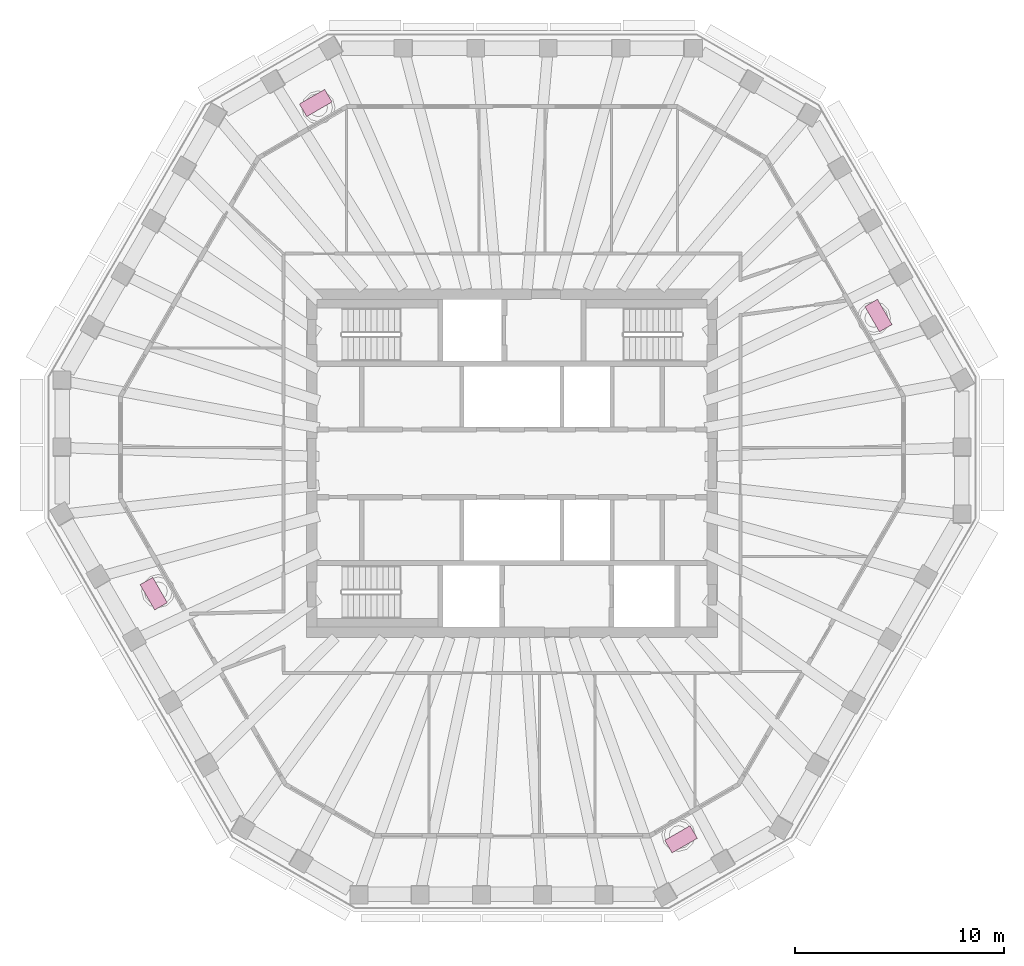
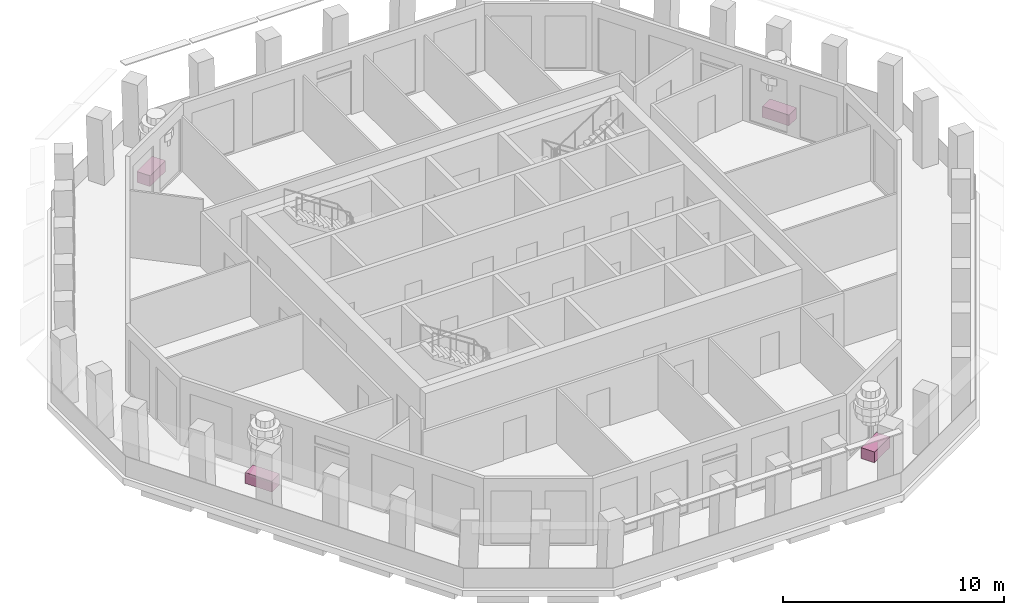
# One storey, part 10 of 11: 4 furniture elements.
"""IFC4 building model written with IfcOpenShell, lengths in metres."""

from ifc_helpers import new_model, si_unit, direction, frame, origin, origin_2d, place, context, subcontext, project, spatial, rectangle, extrude, material, type_object, element, save


model = new_model("IFC4")

# Units and contexts
model_context = context("Model", 3, precision=1e-05, world=origin(), true_north=direction((0.0, 1.0)))
body_context = subcontext(model_context, "Body", "Model", "MODEL_VIEW")
ifc_project = project(units=[si_unit("LENGTHUNIT", "METRE"), si_unit("AREAUNIT", "SQUARE_METRE"), si_unit("VOLUMEUNIT", "CUBIC_METRE"), si_unit("PLANEANGLEUNIT", "RADIAN"), si_unit("MASSUNIT", "GRAM", prefix="KILO")], contexts=[model_context])

# Site, building, storey
site_placement = place(None, origin())
site = spatial("IfcSite", under=ifc_project, at=site_placement, CompositionType="ELEMENT")
building_placement = place(site_placement, origin())
building = spatial("IfcBuilding", under=site, at=building_placement, Name="Frailejon Research Tower", CompositionType="ELEMENT")
storey_placement = place(building_placement, frame((0.0, 0.0, 332.60009765625)))
storey = spatial("IfcBuildingStorey", under=building, at=storey_placement, Name="L74", CompositionType="ELEMENT", Elevation=332.60009765625)

# Furniture
ifc_material = material(Name="Precast concrete C30/37 planter, terracotta", Category="masonry")
furniture_type = type_object("IfcFurnitureType", Name="Loggia planter 1400x700", AssemblyPlace="NOTDEFINED", PredefinedType="USERDEFINED", material=ifc_material)
for number, where, z_axis, x_axis, name in (
    (1, (17.5673828125, 7.0810546875, -0.000244140625), (0.0, 0.0, 1.0), (-0.5, 0.866025403784, 0.0), "Planter L74"),
    (2, (-9.40966796875, 17.272216796875, -0.000244140625), (0.0, 0.0, 1.0), (-0.866025403784, -0.5, 0.0), "Planter L74"),
    (3, (-17.17529296875, -6.25146484375, -0.000244140625), (0.0, 0.0, 1.0), (0.5, -0.866025403784, 0.0), "Planter L74"),
    (4, (8.103271484375, -18.0263671875, -0.000244140625), (0.0, 0.0, 1.0), (0.866025403784, 0.5, 0.0), "Planter L74"),
):
    element("IfcFurniture", number, at=place(storey_placement, frame(where, z_axis=z_axis, x_axis=x_axis)), inside=storey, type_object=furniture_type, Name=name, ObjectType="PLANTER", PredefinedType="USERDEFINED", context=body_context, shape_type="SweptSolid", body=[
        extrude(rectangle(XDim=1.39990234375, YDim=0.699951171875, at=origin_2d()), origin(), (0.0, 0.0, 1.0), 0.60009765625),
    ])

save(model, "model.ifc")
